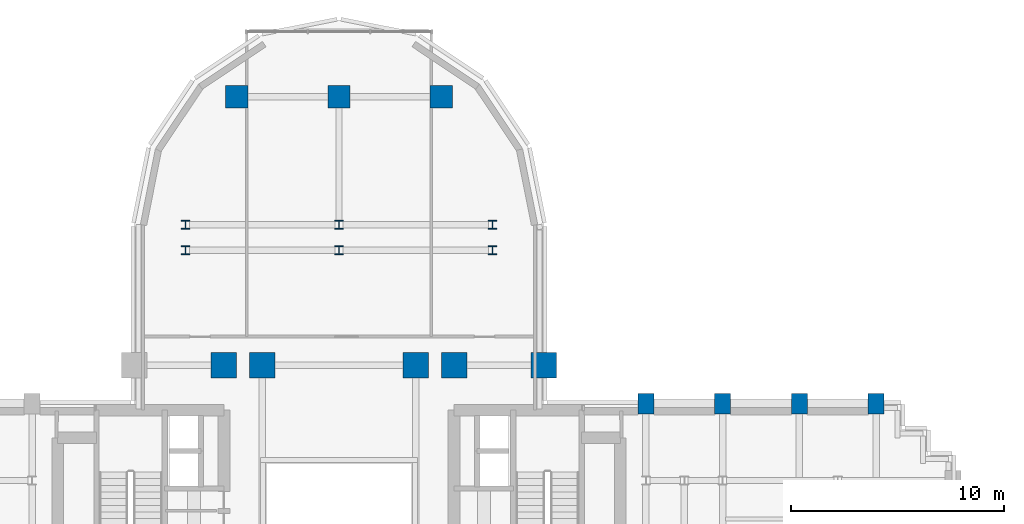
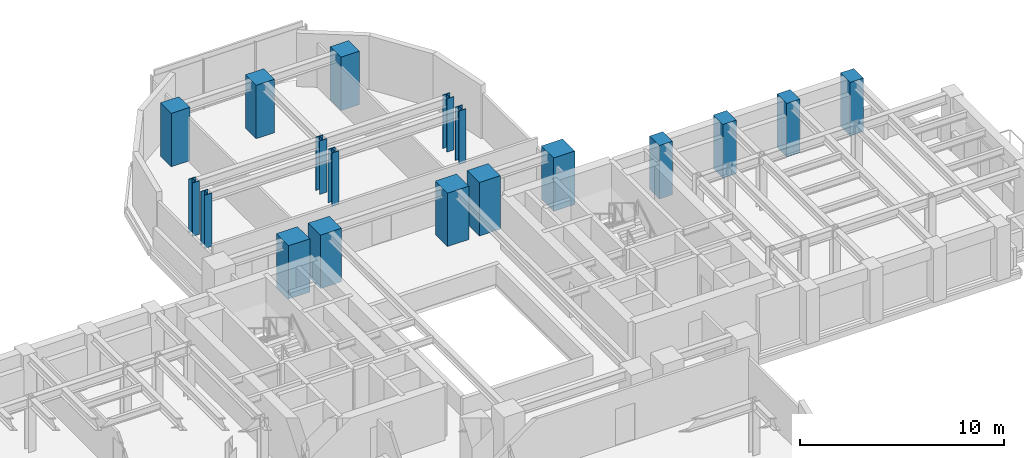
# One storey, part 2 of 14: 18 columns.
"""IFC4 building model written with IfcOpenShell, lengths in metres."""

from ifc_helpers import new_model, si_unit, direction, frame, origin, origin_2d, place, context, subcontext, project, spatial, rectangle, i_section, extrude, source, transform, mapped, material, material_profile, profile_set, type_object, element, save


model = new_model("IFC4")

# Units and contexts
model_context = context("Model", 3, precision=1e-05, world=origin(), true_north=direction((0.0, 1.0)))
body_context = subcontext(model_context, "Body", "Model", "MODEL_VIEW")
ifc_project = project(units=[si_unit("LENGTHUNIT", "METRE"), si_unit("AREAUNIT", "SQUARE_METRE"), si_unit("VOLUMEUNIT", "CUBIC_METRE"), si_unit("PLANEANGLEUNIT", "RADIAN"), si_unit("MASSUNIT", "GRAM", prefix="KILO")], contexts=[model_context])

# Site, building, storey
site_placement = place(None, origin())
site = spatial("IfcSite", under=ifc_project, at=site_placement, CompositionType="ELEMENT")
building_placement = place(site_placement, origin())
building = spatial("IfcBuilding", under=site, at=building_placement, Name="Keilestroom Media Tower", CompositionType="ELEMENT")
storey_placement = place(building_placement, frame((0.0, 0.0, 44.199951171875)))
storey = spatial("IfcBuildingStorey", under=building, at=storey_placement, Name="L10", CompositionType="ELEMENT", Elevation=44.199951171875)

# Columns
ifc_material_1 = material(Name="Precast concrete C40/50", Category="concrete")
ifc_material_profile_1 = material_profile(ifc_material_1, rectangle(XDim=0.75, YDim=0.949951171875, at=origin_2d()), Name="PC 950x750")
ifc_profile_set_1 = profile_set([ifc_material_profile_1], Name="Precast concrete C40/50")
column_type_1 = type_object("IfcColumnType", Name="Structural-Column-PC-950x750", PredefinedType="COLUMN", material=ifc_profile_set_1)
shared_shape_1 = source(origin(), body_context, "Body", "SweptSolid", [
    extrude(rectangle(XDim=0.75, YDim=0.949951171875, at=origin_2d()), origin(), (0.0, 0.0, 1.0), 3.199951171875),
])
for number, where, z_axis, x_axis, name in (
    (1, (14.39990234375, 7.199951171875, 0.0), (0.0, 0.0, 1.0), (1.0, 0.0, 0.0), "L10 Column PC-1 (+14.4,+7.2)"),
    (2, (18.0, 7.199951171875, 0.0), (0.0, 0.0, 1.0), (1.0, 0.0, 0.0), "L10 Column PC-1 (+18.0,+7.2)"),
    (3, (21.60009765625, 7.199951171875, 0.0), (0.0, 0.0, 1.0), (1.0, 0.0, 0.0), "L10 Column PC-1 (+21.6,+7.2)"),
    (4, (25.199951171875, 7.199951171875, 0.0), (0.0, 0.0, 1.0), (1.0, 0.0, 0.0), "L10 Column PC-1 (+25.2,+7.2)"),
):
    element("IfcColumn", number, at=place(storey_placement, frame(where, z_axis=z_axis, x_axis=x_axis)), inside=storey, type_object=column_type_1, Name=name, PredefinedType="COLUMN", context=body_context, shape_type="MappedRepresentation", body=[
        mapped(shared_shape_1, transform((0.0, 0.0, 0.0), x_axis=(1.0, 0.0, 0.0), y_axis=(0.0, 1.0, 0.0), z_axis=(0.0, 0.0, 1.0), scale=1.0)),
    ])
ifc_material_2 = material(Name="Steel S460", Category="steel")
ifc_material_profile_2 = material_profile(ifc_material_2, i_section(OverallWidth=0.404052734375, OverallDepth=0.406982421875, WebThickness=0.02197265625, FlangeThickness=0.035400390625, at=origin_2d()), Name="HD 400x347")
ifc_profile_set_2 = profile_set([ifc_material_profile_2], Name="Steel S460")
column_type_2 = type_object("IfcColumnType", Name="Structural-Column-HD-400x347", PredefinedType="COLUMN", material=ifc_profile_set_2)
shared_shape_2 = source(origin(), body_context, "Body", "SweptSolid", [
    extrude(i_section(OverallWidth=0.404052734375, OverallDepth=0.406982421875, WebThickness=0.02197265625, FlangeThickness=0.035400390625, at=origin_2d()), origin(), (0.0, 0.0, 1.0), 3.199951171875),
])
for number, where, z_axis, x_axis, name in (
    (5, (-7.199951171875, 14.39990234375, 0.0), (0.0, 0.0, 1.0), (1.0, 0.0, 0.0), "L10 Column SC-2 (-7.2,+14.4)"),
    (6, (-7.199951171875, 15.60009765625, 0.0), (0.0, 0.0, 1.0), (1.0, 0.0, 0.0), "L10 Column SC-2 (-7.2,+15.6)"),
    (7, (0.0, 14.39990234375, 0.0), (0.0, 0.0, 1.0), (1.0, 0.0, 0.0), "L10 Column SC-2 (+0.0,+14.4)"),
    (8, (0.0, 15.60009765625, 0.0), (0.0, 0.0, 1.0), (1.0, 0.0, 0.0), "L10 Column SC-2 (+0.0,+15.6)"),
    (9, (7.199951171875, 14.39990234375, 0.0), (0.0, 0.0, 1.0), (1.0, 0.0, 0.0), "L10 Column SC-2 (+7.2,+14.4)"),
    (10, (7.199951171875, 15.60009765625, 0.0), (0.0, 0.0, 1.0), (1.0, 0.0, 0.0), "L10 Column SC-2 (+7.2,+15.6)"),
):
    element("IfcColumn", number, at=place(storey_placement, frame(where, z_axis=z_axis, x_axis=x_axis)), inside=storey, type_object=column_type_2, Name=name, PredefinedType="COLUMN", context=body_context, shape_type="MappedRepresentation", body=[
        mapped(shared_shape_2, transform((0.0, 0.0, 0.0), x_axis=(1.0, 0.0, 0.0), y_axis=(0.0, 1.0, 0.0), z_axis=(0.0, 0.0, 1.0), scale=1.0)),
    ])
ifc_material_3 = material(Name="Concrete C70/85", Category="concrete")
ifc_material_profile_3 = material_profile(ifc_material_3, rectangle(XDim=1.199951171875, YDim=1.199951171875, at=origin_2d()), Name="RC 1200x1200")
ifc_profile_set_3 = profile_set([ifc_material_profile_3], Name="Concrete C70/85")
column_type_3 = type_object("IfcColumnType", Name="Structural-Column-RC-1200x1200", PredefinedType="COLUMN", material=ifc_profile_set_3)
shared_shape_3 = source(origin(), body_context, "Body", "SweptSolid", [
    extrude(rectangle(XDim=1.199951171875, YDim=1.199951171875, at=origin_2d()), origin(), (0.0, 0.0, 1.0), 3.199951171875),
])
for number, where, z_axis, x_axis, name in (
    (11, (-5.39990234375, 9.0, 0.0), (0.0, 0.0, 1.0), (1.0, 0.0, 0.0), "L10 Column MC-2 (-5.4,+9.0)"),
    (12, (-3.60009765625, 9.0, 0.0), (0.0, 0.0, 1.0), (1.0, 0.0, 0.0), "L10 Column MC-2 (-3.6,+9.0)"),
    (13, (3.60009765625, 9.0, 0.0), (0.0, 0.0, 1.0), (1.0, 0.0, 0.0), "L10 Column MC-2 (+3.6,+9.0)"),
    (14, (5.39990234375, 9.0, 0.0), (0.0, 0.0, 1.0), (1.0, 0.0, 0.0), "L10 Column MC-2 (+5.4,+9.0)"),
    (15, (9.60009765625, 9.0, 0.0), (0.0, 0.0, 1.0), (1.0, 0.0, 0.0), "L10 Column MC-2 (+9.6,+9.0)"),
):
    element("IfcColumn", number, at=place(storey_placement, frame(where, z_axis=z_axis, x_axis=x_axis)), inside=storey, type_object=column_type_3, Name=name, PredefinedType="COLUMN", context=body_context, shape_type="MappedRepresentation", body=[
        mapped(shared_shape_3, transform((0.0, 0.0, 0.0), x_axis=(1.0, 0.0, 0.0), y_axis=(0.0, 1.0, 0.0), z_axis=(0.0, 0.0, 1.0), scale=1.0)),
    ])
ifc_material_4 = material(Name="Concrete C55/67", Category="concrete")
ifc_material_profile_4 = material_profile(ifc_material_4, rectangle(XDim=1.050048828125, YDim=1.050048828125, at=origin_2d()), Name="RC 1050x1050")
ifc_profile_set_4 = profile_set([ifc_material_profile_4], Name="Concrete C55/67")
column_type_4 = type_object("IfcColumnType", Name="Structural-Column-RC-1050x1050", PredefinedType="COLUMN", material=ifc_profile_set_4)
shared_shape_4 = source(origin(), body_context, "Body", "SweptSolid", [
    extrude(rectangle(XDim=1.050048828125, YDim=1.050048828125, at=origin_2d()), origin(), (0.0, 0.0, 1.0), 3.199951171875),
])
for number, where, z_axis, x_axis, name in (
    (16, (-4.800048828125, 21.60009765625, 0.0), (0.0, 0.0, 1.0), (1.0, 0.0, 0.0), "L10 Column MC-3 (-4.8,+21.6)"),
    (17, (0.0, 21.60009765625, 0.0), (0.0, 0.0, 1.0), (1.0, 0.0, 0.0), "L10 Column MC-3 (+0.0,+21.6)"),
    (18, (4.800048828125, 21.60009765625, 0.0), (0.0, 0.0, 1.0), (1.0, 0.0, 0.0), "L10 Column MC-3 (+4.8,+21.6)"),
):
    element("IfcColumn", number, at=place(storey_placement, frame(where, z_axis=z_axis, x_axis=x_axis)), inside=storey, type_object=column_type_4, Name=name, PredefinedType="COLUMN", context=body_context, shape_type="MappedRepresentation", body=[
        mapped(shared_shape_4, transform((0.0, 0.0, 0.0), x_axis=(1.0, 0.0, 0.0), y_axis=(0.0, 1.0, 0.0), z_axis=(0.0, 0.0, 1.0), scale=1.0)),
    ])

save(model, "model.ifc")
